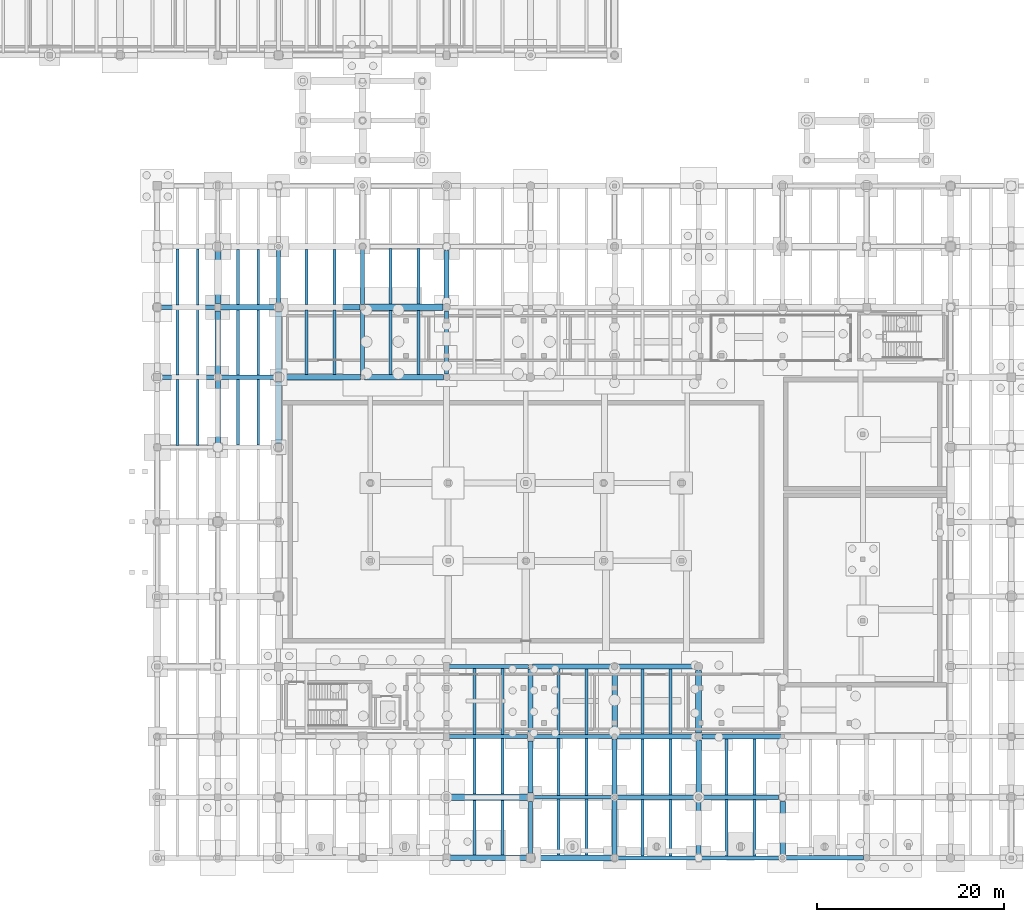
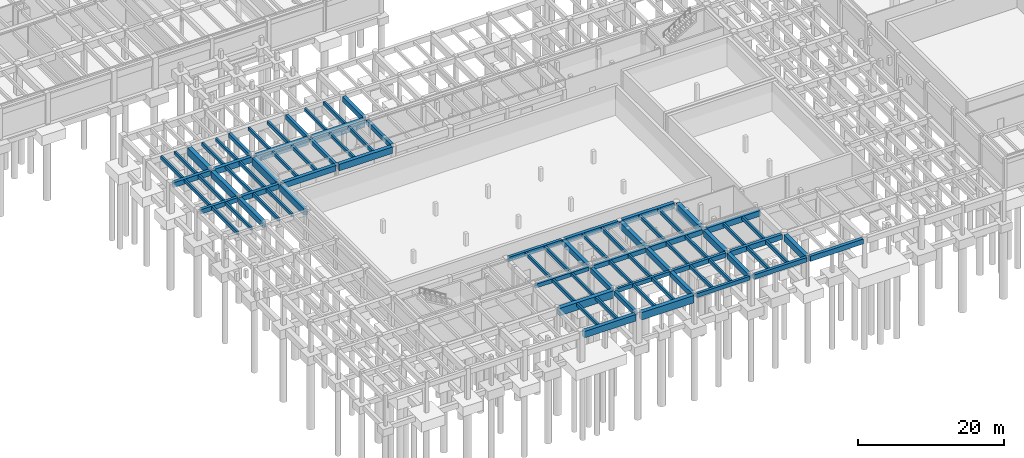
# One storey, part 21 of 36: 86 beams.
"""IFC4 building model written with IfcOpenShell, lengths in metres."""

from ifc_helpers import new_model, si_unit, direction, frame, origin, origin_2d, place, context, subcontext, project, spatial, rectangle, extrude, material, material_profile, profile_set, type_object, element, save


model = new_model("IFC4")

# Units and contexts
model_context = context("Model", 3, precision=1e-05, world=origin(), true_north=direction((0.0, 1.0)))
body_context = subcontext(model_context, "Body", "Model", "MODEL_VIEW")
ifc_project = project(units=[si_unit("LENGTHUNIT", "METRE"), si_unit("AREAUNIT", "SQUARE_METRE"), si_unit("VOLUMEUNIT", "CUBIC_METRE"), si_unit("PLANEANGLEUNIT", "RADIAN"), si_unit("MASSUNIT", "GRAM", prefix="KILO"), si_unit("THERMODYNAMICTEMPERATUREUNIT", "KELVIN"), si_unit("POWERUNIT", "WATT")], contexts=[model_context])

# Site, building, storey
site_placement = place(None, origin())
site = spatial("IfcSite", under=ifc_project, at=site_placement, CompositionType="ELEMENT")
building_placement = place(site_placement, origin())
building = spatial("IfcBuilding", under=site, at=building_placement, Name="Tepalcoro Natatorium and Aquatics Centre", CompositionType="ELEMENT")
storey_placement = place(building_placement, frame((0.0, 0.0, -5.199951171875)))
storey = spatial("IfcBuildingStorey", under=building, at=storey_placement, Name="B1", CompositionType="ELEMENT", Elevation=-5.199951171875)

# Beams
ifc_material = material(Name="Concrete C40/50 (fc 40 MPa)", Category="concrete")
ifc_material_profile_1 = material_profile(ifc_material, rectangle(XDim=0.39990234375, YDim=0.64990234375, at=origin_2d()), Name="RCB400x650")
ifc_profile_set_1 = profile_set([ifc_material_profile_1], Name="Concrete C40/50 (fc 40 MPa)")
beam_type_1 = type_object("IfcBeamType", Name="BM_RC_400x650", PredefinedType="BEAM", material=ifc_profile_set_1)
for number, where, z_axis, x_axis, name in (
    (1, (89.235107421875, 0.0, 4.579833984375), (1.0, 0.0, 0.0), (0.0, 1.0, 0.0), "V1 B1 Grid Girder X"),
    (2, (80.284912109375, 6.5, 4.579833984375), (1.0, 0.0, 0.0), (0.0, 1.0, 0.0), "V1 B1 Grid Girder X"),
):
    element("IfcBeam", number, at=place(storey_placement, frame(where, z_axis=z_axis, x_axis=x_axis)), inside=storey, type_object=beam_type_1, Name=name, PredefinedType="BEAM", context=body_context, shape_type="SweptSolid", body=[
        extrude(rectangle(XDim=0.39990234375, YDim=0.64990234375, at=origin_2d()), origin(), (0.0, 0.0, 1.0), 8.47998046875),
    ])
beam_1_placement = place(storey_placement, frame((71.284912109375, 13.0, 4.579833984375), z_axis=(1.0, 0.0, 0.0), x_axis=(0.0, 1.0, 0.0)))
element("IfcBeam", 3, at=beam_1_placement, inside=storey, type_object=beam_type_1, Name="V1 B1 Grid Girder X", PredefinedType="BEAM", context=body_context, shape_type="SweptSolid", body=[
    extrude(rectangle(XDim=0.39990234375, YDim=0.64990234375, at=origin_2d()), origin(), (0.0, 0.0, 1.0), 8.380126953125),
])
beam_2_placement = place(storey_placement, frame((53.0, 59.4599609375, 4.579833984375), z_axis=(0.0, 1.0, 0.0), x_axis=(-1.0, 0.0, 0.0)))
element("IfcBeam", 4, at=beam_2_placement, inside=storey, type_object=beam_type_1, Name="V1 B1 Grid Girder Y", PredefinedType="BEAM", context=body_context, shape_type="SweptSolid", body=[
    extrude(rectangle(XDim=0.39990234375, YDim=0.64990234375, at=origin_2d()), origin(), (0.0, 0.0, 1.0), 5.804931640625),
])
beam_3_placement = place(storey_placement, frame((62.0, 51.735107421875, 4.56005859375), z_axis=(0.0, 1.0, 0.0), x_axis=(-1.0, 0.0, 0.0)))
element("IfcBeam", 5, at=beam_3_placement, inside=storey, type_object=beam_type_1, Name="V1 B1 Grid Girder Y", PredefinedType="BEAM", context=body_context, shape_type="SweptSolid", body=[
    extrude(rectangle(XDim=0.39990234375, YDim=0.64990234375, at=origin_2d()), origin(), (0.0, 0.0, 1.0), 6.97998046875),
])
ifc_material_profile_2 = material_profile(ifc_material, rectangle(XDim=0.449951171875, YDim=0.75, at=origin_2d()), Name="RCB450x750")
ifc_profile_set_2 = profile_set([ifc_material_profile_2], Name="Concrete C40/50 (fc 40 MPa)")
beam_type_2 = type_object("IfcBeamType", Name="BM_RC_450x750", PredefinedType="BEAM", material=ifc_profile_set_2)
beam_4_placement = place(storey_placement, frame((98.284912109375, 0.0, 4.530029296875), z_axis=(1.0, 0.0, 0.0), x_axis=(0.0, 1.0, 0.0)))
element("IfcBeam", 6, at=beam_4_placement, inside=storey, type_object=beam_type_2, Name="V1 B1 Grid Girder X", PredefinedType="BEAM", context=body_context, shape_type="SweptSolid", body=[
    extrude(rectangle(XDim=0.449951171875, YDim=0.75, at=origin_2d()), origin(), (0.0, 0.0, 1.0), 8.47998046875),
])
beam_5_placement = place(storey_placement, frame((89.235107421875, 6.5, 4.530029296875), z_axis=(1.0, 0.0, 0.0), x_axis=(0.0, 1.0, 0.0)))
element("IfcBeam", 7, at=beam_5_placement, inside=storey, type_object=beam_type_2, Name="V1 B1 Grid Girder X", PredefinedType="BEAM", context=body_context, shape_type="SweptSolid", body=[
    extrude(rectangle(XDim=0.449951171875, YDim=0.75, at=origin_2d()), origin(), (0.0, 0.0, 1.0), 8.429931640625),
])
beam_6_placement = place(storey_placement, frame((80.3349609375, 13.0, 4.530029296875), z_axis=(1.0, 0.0, 0.0), x_axis=(0.0, 1.0, 0.0)))
element("IfcBeam", 8, at=beam_6_placement, inside=storey, type_object=beam_type_2, Name="V1 B1 Grid Girder X", PredefinedType="BEAM", context=body_context, shape_type="SweptSolid", body=[
    extrude(rectangle(XDim=0.449951171875, YDim=0.75, at=origin_2d()), origin(), (0.0, 0.0, 1.0), 8.380126953125),
])
beam_7_placement = place(storey_placement, frame((71.284912109375, 20.5, 4.510009765625), z_axis=(1.0, 0.0, 0.0), x_axis=(0.0, 1.0, 0.0)))
element("IfcBeam", 9, at=beam_7_placement, inside=storey, type_object=beam_type_2, Name="V1 B1 Grid Girder X", PredefinedType="BEAM", context=body_context, shape_type="SweptSolid", body=[
    extrude(rectangle(XDim=0.449951171875, YDim=0.75, at=origin_2d()), origin(), (0.0, 0.0, 1.0), 8.47998046875),
])
beam_8_placement = place(storey_placement, frame((40.360107421875, 51.5, 4.530029296875), z_axis=(1.0, 0.0, 0.0), x_axis=(0.0, 1.0, 0.0)))
element("IfcBeam", 10, at=beam_8_placement, inside=storey, type_object=beam_type_2, Name="V1 B1 Grid Girder X", PredefinedType="BEAM", context=body_context, shape_type="SweptSolid", body=[
    extrude(rectangle(XDim=0.449951171875, YDim=0.75, at=origin_2d()), origin(), (0.0, 0.0, 1.0), 5.90478515625),
])
beam_9_placement = place(storey_placement, frame((62.0, 59.284912109375, 4.530029296875), z_axis=(0.0, 1.0, 0.0), x_axis=(-1.0, 0.0, 0.0)))
element("IfcBeam", 11, at=beam_9_placement, inside=storey, type_object=beam_type_2, Name="V1 B1 Grid Girder Y", PredefinedType="BEAM", context=body_context, shape_type="SweptSolid", body=[
    extrude(rectangle(XDim=0.449951171875, YDim=0.75, at=origin_2d()), origin(), (0.0, 0.0, 1.0), 5.880126953125),
])
beam_10_placement = place(storey_placement, frame((71.0, 51.8349609375, 4.510009765625), z_axis=(0.0, 1.0, 0.0), x_axis=(-1.0, 0.0, 0.0)))
element("IfcBeam", 12, at=beam_10_placement, inside=storey, type_object=beam_type_2, Name="V1 B1 Grid Girder Y", PredefinedType="BEAM", context=body_context, shape_type="SweptSolid", body=[
    extrude(rectangle(XDim=0.449951171875, YDim=0.75, at=origin_2d()), origin(), (0.0, 0.0, 1.0), 6.780029296875),
])
beam_11_placement = place(storey_placement, frame((80.0, 0.43505859375, 4.530029296875), z_axis=(0.0, 1.0, 0.0), x_axis=(-1.0, 0.0, 0.0)))
element("IfcBeam", 13, at=beam_11_placement, inside=storey, type_object=beam_type_2, Name="V1 B1 Grid Girder Y", PredefinedType="BEAM", context=body_context, shape_type="SweptSolid", body=[
    extrude(rectangle(XDim=0.449951171875, YDim=0.75, at=origin_2d()), origin(), (0.0, 0.0, 1.0), 5.6298828125),
])
ifc_material_profile_3 = material_profile(ifc_material, rectangle(XDim=0.5, YDim=0.85009765625, at=origin_2d()), Name="RCB500x850")
ifc_profile_set_3 = profile_set([ifc_material_profile_3], Name="Concrete C40/50 (fc 40 MPa)")
beam_type_3 = type_object("IfcBeamType", Name="BM_RC_500x850", PredefinedType="BEAM", material=ifc_profile_set_3)
beam_12_placement = place(storey_placement, frame((107.235107421875, 0.0, 4.47998046875), z_axis=(1.0, 0.0, 0.0), x_axis=(0.0, 1.0, 0.0)))
element("IfcBeam", 14, at=beam_12_placement, inside=storey, type_object=beam_type_3, Name="V1 B1 Grid Girder X", PredefinedType="BEAM", context=body_context, shape_type="SweptSolid", body=[
    extrude(rectangle(XDim=0.5, YDim=0.85009765625, at=origin_2d()), origin(), (0.0, 0.0, 1.0), 8.429931640625),
])
beam_13_placement = place(storey_placement, frame((98.3349609375, 6.5, 4.47998046875), z_axis=(1.0, 0.0, 0.0), x_axis=(0.0, 1.0, 0.0)))
element("IfcBeam", 15, at=beam_13_placement, inside=storey, type_object=beam_type_3, Name="V1 B1 Grid Girder X", PredefinedType="BEAM", context=body_context, shape_type="SweptSolid", body=[
    extrude(rectangle(XDim=0.5, YDim=0.85009765625, at=origin_2d()), origin(), (0.0, 0.0, 1.0), 8.22998046875),
])
beam_14_placement = place(storey_placement, frame((89.284912109375, 13.0, 4.47998046875), z_axis=(1.0, 0.0, 0.0), x_axis=(0.0, 1.0, 0.0)))
element("IfcBeam", 16, at=beam_14_placement, inside=storey, type_object=beam_type_3, Name="V1 B1 Grid Girder X", PredefinedType="BEAM", context=body_context, shape_type="SweptSolid", body=[
    extrude(rectangle(XDim=0.5, YDim=0.85009765625, at=origin_2d()), origin(), (0.0, 0.0, 1.0), 8.330078125),
])
beam_15_placement = place(storey_placement, frame((80.235107421875, 20.5, 4.4599609375), z_axis=(1.0, 0.0, 0.0), x_axis=(0.0, 1.0, 0.0)))
element("IfcBeam", 17, at=beam_15_placement, inside=storey, type_object=beam_type_3, Name="V1 B1 Grid Girder X", PredefinedType="BEAM", context=body_context, shape_type="SweptSolid", body=[
    extrude(rectangle(XDim=0.5, YDim=0.85009765625, at=origin_2d()), origin(), (0.0, 0.0, 1.0), 8.429931640625),
])
beam_16_placement = place(storey_placement, frame((46.735107421875, 51.5, 4.47998046875), z_axis=(1.0, 0.0, 0.0), x_axis=(0.0, 1.0, 0.0)))
element("IfcBeam", 18, at=beam_16_placement, inside=storey, type_object=beam_type_3, Name="V1 B1 Grid Girder X", PredefinedType="BEAM", context=body_context, shape_type="SweptSolid", body=[
    extrude(rectangle(XDim=0.5, YDim=0.85009765625, at=origin_2d()), origin(), (0.0, 0.0, 1.0), 5.97998046875),
])
beam_17_placement = place(storey_placement, frame((40.385009765625, 59.0, 4.47998046875), z_axis=(1.0, 0.0, 0.0), x_axis=(0.0, 1.0, 0.0)))
element("IfcBeam", 19, at=beam_17_placement, inside=storey, type_object=beam_type_3, Name="V1 B1 Grid Girder X", PredefinedType="BEAM", context=body_context, shape_type="SweptSolid", body=[
    extrude(rectangle(XDim=0.5, YDim=0.85009765625, at=origin_2d()), origin(), (0.0, 0.0, 1.0), 5.830078125),
])
beam_18_placement = place(storey_placement, frame((71.0, 59.385009765625, 4.47998046875), z_axis=(0.0, 1.0, 0.0), x_axis=(-1.0, 0.0, 0.0)))
element("IfcBeam", 20, at=beam_18_placement, inside=storey, type_object=beam_type_3, Name="V1 B1 Grid Girder Y", PredefinedType="BEAM", context=body_context, shape_type="SweptSolid", body=[
    extrude(rectangle(XDim=0.5, YDim=0.85009765625, at=origin_2d()), origin(), (0.0, 0.0, 1.0), 5.679931640625),
])
beam_19_placement = place(storey_placement, frame((80.0, 6.93505859375, 4.47998046875), z_axis=(0.0, 1.0, 0.0), x_axis=(-1.0, 0.0, 0.0)))
element("IfcBeam", 21, at=beam_19_placement, inside=storey, type_object=beam_type_3, Name="V1 B1 Grid Girder Y", PredefinedType="BEAM", context=body_context, shape_type="SweptSolid", body=[
    extrude(rectangle(XDim=0.5, YDim=0.85009765625, at=origin_2d()), origin(), (0.0, 0.0, 1.0), 5.60498046875),
])
beam_20_placement = place(storey_placement, frame((89.0, 0.3349609375, 4.47998046875), z_axis=(0.0, 1.0, 0.0), x_axis=(-1.0, 0.0, 0.0)))
element("IfcBeam", 22, at=beam_20_placement, inside=storey, type_object=beam_type_3, Name="V1 B1 Grid Girder Y", PredefinedType="BEAM", context=body_context, shape_type="SweptSolid", body=[
    extrude(rectangle(XDim=0.5, YDim=0.85009765625, at=origin_2d()), origin(), (0.0, 0.0, 1.0), 5.929931640625),
])
ifc_material_profile_4 = material_profile(ifc_material, rectangle(XDim=0.550048828125, YDim=0.949951171875, at=origin_2d()), Name="RCB550x950")
ifc_profile_set_4 = profile_set([ifc_material_profile_4], Name="Concrete C40/50 (fc 40 MPa)")
beam_type_4 = type_object("IfcBeamType", Name="BM_RC_550x950", PredefinedType="BEAM", material=ifc_profile_set_4)
beam_21_placement = place(storey_placement, frame((98.385009765625, 13.0, 4.429931640625), z_axis=(1.0, 0.0, 0.0), x_axis=(0.0, 1.0, 0.0)))
element("IfcBeam", 23, at=beam_21_placement, inside=storey, type_object=beam_type_4, Name="V1 B1 Grid Girder X", PredefinedType="BEAM", context=body_context, shape_type="SweptSolid", body=[
    extrude(rectangle(XDim=0.550048828125, YDim=0.949951171875, at=origin_2d()), origin(), (0.0, 0.0, 1.0), 8.429931640625),
])
beam_22_placement = place(storey_placement, frame((89.3349609375, 20.5, 4.409912109375), z_axis=(1.0, 0.0, 0.0), x_axis=(0.0, 1.0, 0.0)))
element("IfcBeam", 24, at=beam_22_placement, inside=storey, type_object=beam_type_4, Name="V1 B1 Grid Girder X", PredefinedType="BEAM", context=body_context, shape_type="SweptSolid", body=[
    extrude(rectangle(XDim=0.550048828125, YDim=0.949951171875, at=origin_2d()), origin(), (0.0, 0.0, 1.0), 8.22998046875),
])
beam_23_placement = place(storey_placement, frame((53.284912109375, 51.5, 4.409912109375), z_axis=(1.0, 0.0, 0.0), x_axis=(0.0, 1.0, 0.0)))
element("IfcBeam", 25, at=beam_23_placement, inside=storey, type_object=beam_type_4, Name="V1 B1 Grid Girder X", PredefinedType="BEAM", context=body_context, shape_type="SweptSolid", body=[
    extrude(rectangle(XDim=0.550048828125, YDim=0.949951171875, at=origin_2d()), origin(), (0.0, 0.0, 1.0), 8.47998046875),
])
beam_24_placement = place(storey_placement, frame((46.784912109375, 59.0, 4.429931640625), z_axis=(1.0, 0.0, 0.0), x_axis=(0.0, 1.0, 0.0)))
element("IfcBeam", 26, at=beam_24_placement, inside=storey, type_object=beam_type_4, Name="V1 B1 Grid Girder X", PredefinedType="BEAM", context=body_context, shape_type="SweptSolid", body=[
    extrude(rectangle(XDim=0.550048828125, YDim=0.949951171875, at=origin_2d()), origin(), (0.0, 0.0, 1.0), 5.880126953125),
])
beam_25_placement = place(storey_placement, frame((46.5, 44.4599609375, 4.429931640625), z_axis=(0.0, 1.0, 0.0), x_axis=(-1.0, 0.0, 0.0)))
element("IfcBeam", 27, at=beam_25_placement, inside=storey, type_object=beam_type_4, Name="V1 B1 Grid Girder Y", PredefinedType="BEAM", context=body_context, shape_type="SweptSolid", body=[
    extrude(rectangle(XDim=0.550048828125, YDim=0.949951171875, at=origin_2d()), origin(), (0.0, 0.0, 1.0), 6.705078125),
])
beam_26_placement = place(storey_placement, frame((80.0, 13.4599609375, 4.409912109375), z_axis=(0.0, 1.0, 0.0), x_axis=(-1.0, 0.0, 0.0)))
element("IfcBeam", 28, at=beam_26_placement, inside=storey, type_object=beam_type_4, Name="V1 B1 Grid Girder Y", PredefinedType="BEAM", context=body_context, shape_type="SweptSolid", body=[
    extrude(rectangle(XDim=0.550048828125, YDim=0.949951171875, at=origin_2d()), origin(), (0.0, 0.0, 1.0), 6.804931640625),
])
beam_27_placement = place(storey_placement, frame((89.0, 6.735107421875, 4.429931640625), z_axis=(0.0, 1.0, 0.0), x_axis=(-1.0, 0.0, 0.0)))
element("IfcBeam", 29, at=beam_27_placement, inside=storey, type_object=beam_type_4, Name="V1 B1 Grid Girder Y", PredefinedType="BEAM", context=body_context, shape_type="SweptSolid", body=[
    extrude(rectangle(XDim=0.550048828125, YDim=0.949951171875, at=origin_2d()), origin(), (0.0, 0.0, 1.0), 5.97998046875),
])
beam_28_placement = place(storey_placement, frame((98.0, 0.43505859375, 4.429931640625), z_axis=(0.0, 1.0, 0.0), x_axis=(-1.0, 0.0, 0.0)))
element("IfcBeam", 30, at=beam_28_placement, inside=storey, type_object=beam_type_4, Name="V1 B1 Grid Girder Y", PredefinedType="BEAM", context=body_context, shape_type="SweptSolid", body=[
    extrude(rectangle(XDim=0.550048828125, YDim=0.949951171875, at=origin_2d()), origin(), (0.0, 0.0, 1.0), 5.72998046875),
])
ifc_material_profile_5 = material_profile(ifc_material, rectangle(XDim=0.60009765625, YDim=1.10009765625, at=origin_2d()), Name="RCB600x1100")
ifc_profile_set_5 = profile_set([ifc_material_profile_5], Name="Concrete C40/50 (fc 40 MPa)")
beam_type_5 = type_object("IfcBeamType", Name="BM_RC_600x1100", PredefinedType="BEAM", material=ifc_profile_set_5)
beam_29_placement = place(storey_placement, frame((71.385009765625, 0.0, 4.35498046875), z_axis=(1.0, 0.0, 0.0), x_axis=(0.0, 1.0, 0.0)))
element("IfcBeam", 31, at=beam_29_placement, inside=storey, type_object=beam_type_5, Name="V1 B1 Grid Girder X", PredefinedType="BEAM", context=body_context, shape_type="SweptSolid", body=[
    extrude(rectangle(XDim=0.60009765625, YDim=1.10009765625, at=origin_2d()), origin(), (0.0, 0.0, 1.0), 8.179931640625),
])
beam_30_placement = place(storey_placement, frame((62.235107421875, 51.5, 4.3349609375), z_axis=(1.0, 0.0, 0.0), x_axis=(0.0, 1.0, 0.0)))
element("IfcBeam", 32, at=beam_30_placement, inside=storey, type_object=beam_type_5, Name="V1 B1 Grid Girder X", PredefinedType="BEAM", context=body_context, shape_type="SweptSolid", body=[
    extrude(rectangle(XDim=0.60009765625, YDim=1.10009765625, at=origin_2d()), origin(), (0.0, 0.0, 1.0), 8.429931640625),
])
beam_31_placement = place(storey_placement, frame((53.3349609375, 59.0, 4.35498046875), z_axis=(1.0, 0.0, 0.0), x_axis=(0.0, 1.0, 0.0)))
element("IfcBeam", 33, at=beam_31_placement, inside=storey, type_object=beam_type_5, Name="V1 B1 Grid Girder X", PredefinedType="BEAM", context=body_context, shape_type="SweptSolid", body=[
    extrude(rectangle(XDim=0.60009765625, YDim=1.10009765625, at=origin_2d()), origin(), (0.0, 0.0, 1.0), 8.380126953125),
])
beam_32_placement = place(storey_placement, frame((46.5, 51.8349609375, 4.35498046875), z_axis=(0.0, 1.0, 0.0), x_axis=(-1.0, 0.0, 0.0)))
element("IfcBeam", 34, at=beam_32_placement, inside=storey, type_object=beam_type_5, Name="V1 B1 Grid Girder Y", PredefinedType="BEAM", context=body_context, shape_type="SweptSolid", body=[
    extrude(rectangle(XDim=0.60009765625, YDim=1.10009765625, at=origin_2d()), origin(), (0.0, 0.0, 1.0), 6.780029296875),
])
beam_33_placement = place(storey_placement, frame((53.0, 44.385009765625, 4.35498046875), z_axis=(0.0, 1.0, 0.0), x_axis=(-1.0, 0.0, 0.0)))
element("IfcBeam", 35, at=beam_33_placement, inside=storey, type_object=beam_type_5, Name="V1 B1 Grid Girder Y", PredefinedType="BEAM", context=body_context, shape_type="SweptSolid", body=[
    extrude(rectangle(XDim=0.60009765625, YDim=1.10009765625, at=origin_2d()), origin(), (0.0, 0.0, 1.0), 6.679931640625),
])
beam_34_placement = place(storey_placement, frame((89.0, 13.284912109375, 4.3349609375), z_axis=(0.0, 1.0, 0.0), x_axis=(-1.0, 0.0, 0.0)))
element("IfcBeam", 36, at=beam_34_placement, inside=storey, type_object=beam_type_5, Name="V1 B1 Grid Girder Y", PredefinedType="BEAM", context=body_context, shape_type="SweptSolid", body=[
    extrude(rectangle(XDim=0.60009765625, YDim=1.10009765625, at=origin_2d()), origin(), (0.0, 0.0, 1.0), 6.880126953125),
])
beam_35_placement = place(storey_placement, frame((98.0, 6.8349609375, 4.35498046875), z_axis=(0.0, 1.0, 0.0), x_axis=(-1.0, 0.0, 0.0)))
element("IfcBeam", 37, at=beam_35_placement, inside=storey, type_object=beam_type_5, Name="V1 B1 Grid Girder Y", PredefinedType="BEAM", context=body_context, shape_type="SweptSolid", body=[
    extrude(rectangle(XDim=0.60009765625, YDim=1.10009765625, at=origin_2d()), origin(), (0.0, 0.0, 1.0), 5.780029296875),
])
beam_36_placement = place(storey_placement, frame((107.0, 0.235107421875, 4.35498046875), z_axis=(0.0, 1.0, 0.0), x_axis=(-1.0, 0.0, 0.0)))
element("IfcBeam", 38, at=beam_36_placement, inside=storey, type_object=beam_type_5, Name="V1 B1 Grid Girder Y", PredefinedType="BEAM", context=body_context, shape_type="SweptSolid", body=[
    extrude(rectangle(XDim=0.60009765625, YDim=1.10009765625, at=origin_2d()), origin(), (0.0, 0.0, 1.0), 5.829833984375),
])
ifc_material_profile_6 = material_profile(ifc_material, rectangle(XDim=0.64990234375, YDim=1.25, at=origin_2d()), Name="RCB650x1250")
ifc_profile_set_6 = profile_set([ifc_material_profile_6], Name="Concrete C40/50 (fc 40 MPa)")
beam_type_6 = type_object("IfcBeamType", Name="BM_RC_650x1250", PredefinedType="BEAM", material=ifc_profile_set_6)
beam_37_placement = place(storey_placement, frame((80.43505859375, 0.0, 4.280029296875), z_axis=(1.0, 0.0, 0.0), x_axis=(0.0, 1.0, 0.0)))
element("IfcBeam", 39, at=beam_37_placement, inside=storey, type_object=beam_type_6, Name="V1 B1 Grid Girder X", PredefinedType="BEAM", context=body_context, shape_type="SweptSolid", body=[
    extrude(rectangle(XDim=0.64990234375, YDim=1.25, at=origin_2d()), origin(), (0.0, 0.0, 1.0), 8.329833984375),
])
beam_38_placement = place(storey_placement, frame((71.235107421875, 6.5, 4.280029296875), z_axis=(1.0, 0.0, 0.0), x_axis=(0.0, 1.0, 0.0)))
element("IfcBeam", 40, at=beam_38_placement, inside=storey, type_object=beam_type_6, Name="V1 B1 Grid Girder X", PredefinedType="BEAM", context=body_context, shape_type="SweptSolid", body=[
    extrude(rectangle(XDim=0.64990234375, YDim=1.25, at=origin_2d()), origin(), (0.0, 0.0, 1.0), 8.47998046875),
])
beam_39_placement = place(storey_placement, frame((62.284912109375, 59.0, 4.280029296875), z_axis=(1.0, 0.0, 0.0), x_axis=(0.0, 1.0, 0.0)))
element("IfcBeam", 41, at=beam_39_placement, inside=storey, type_object=beam_type_6, Name="V1 B1 Grid Girder X", PredefinedType="BEAM", context=body_context, shape_type="SweptSolid", body=[
    extrude(rectangle(XDim=0.64990234375, YDim=1.25, at=origin_2d()), origin(), (0.0, 0.0, 1.0), 8.330078125),
])
beam_40_placement = place(storey_placement, frame((46.5, 59.385009765625, 4.280029296875), z_axis=(0.0, 1.0, 0.0), x_axis=(-1.0, 0.0, 0.0)))
element("IfcBeam", 42, at=beam_40_placement, inside=storey, type_object=beam_type_6, Name="V1 B1 Grid Girder Y", PredefinedType="BEAM", context=body_context, shape_type="SweptSolid", body=[
    extrude(rectangle(XDim=0.64990234375, YDim=1.25, at=origin_2d()), origin(), (0.0, 0.0, 1.0), 5.679931640625),
])
beam_41_placement = place(storey_placement, frame((53.0, 51.93505859375, 4.280029296875), z_axis=(0.0, 1.0, 0.0), x_axis=(-1.0, 0.0, 0.0)))
element("IfcBeam", 43, at=beam_41_placement, inside=storey, type_object=beam_type_6, Name="V1 B1 Grid Girder Y", PredefinedType="BEAM", context=body_context, shape_type="SweptSolid", body=[
    extrude(rectangle(XDim=0.64990234375, YDim=1.25, at=origin_2d()), origin(), (0.0, 0.0, 1.0), 6.60498046875),
])
beam_42_placement = place(storey_placement, frame((98.0, 13.385009765625, 4.260009765625), z_axis=(0.0, 1.0, 0.0), x_axis=(-1.0, 0.0, 0.0)))
element("IfcBeam", 44, at=beam_42_placement, inside=storey, type_object=beam_type_6, Name="V1 B1 Grid Girder Y", PredefinedType="BEAM", context=body_context, shape_type="SweptSolid", body=[
    extrude(rectangle(XDim=0.64990234375, YDim=1.25, at=origin_2d()), origin(), (0.0, 0.0, 1.0), 6.679931640625),
])
ifc_material_profile_7 = material_profile(ifc_material, rectangle(XDim=0.300048828125, YDim=0.550048828125, at=origin_2d()), Name="RCJ300x550")
ifc_profile_set_7 = profile_set([ifc_material_profile_7], Name="Concrete C40/50 (fc 40 MPa)")
beam_type_7 = type_object("IfcBeamType", Name="JS_RC_300x550", PredefinedType="JOIST", material=ifc_profile_set_7)
for number, where, z_axis, x_axis, name in (
    (45, (42.166748046875, 44.199951171875, 4.6298828125), (0.0, 1.0, 0.0), (-1.0, 0.0, 0.0), "V1 B1 Floor Joist"),
    (46, (44.333251953125, 44.199951171875, 4.6298828125), (0.0, 1.0, 0.0), (-1.0, 0.0, 0.0), "V1 B1 Floor Joist"),
):
    element("IfcBeam", number, at=place(storey_placement, frame(where, z_axis=z_axis, x_axis=x_axis)), inside=storey, type_object=beam_type_7, Name=name, PredefinedType="JOIST", context=body_context, shape_type="SweptSolid", body=[
        extrude(rectangle(XDim=0.300048828125, YDim=0.550048828125, at=origin_2d()), origin(), (0.0, 0.0, 1.0), 7.074951171875),
    ])
for number, where, z_axis, x_axis, name in (
    (47, (42.166748046875, 51.72509765625, 4.6298828125), (0.0, 1.0, 0.0), (-1.0, 0.0, 0.0), "V1 B1 Floor Joist"),
    (48, (44.333251953125, 51.72509765625, 4.6298828125), (0.0, 1.0, 0.0), (-1.0, 0.0, 0.0), "V1 B1 Floor Joist"),
):
    element("IfcBeam", number, at=place(storey_placement, frame(where, z_axis=z_axis, x_axis=x_axis)), inside=storey, type_object=beam_type_7, Name=name, PredefinedType="JOIST", context=body_context, shape_type="SweptSolid", body=[
        extrude(rectangle(XDim=0.300048828125, YDim=0.550048828125, at=origin_2d()), origin(), (0.0, 0.0, 1.0), 7.02490234375),
    ])
for number, where, z_axis, x_axis, name in (
    (49, (42.166748046875, 59.25, 4.6298828125), (0.0, 1.0, 0.0), (-1.0, 0.0, 0.0), "V1 B1 Floor Joist"),
    (50, (44.333251953125, 59.25, 4.6298828125), (0.0, 1.0, 0.0), (-1.0, 0.0, 0.0), "V1 B1 Floor Joist"),
):
    element("IfcBeam", number, at=place(storey_placement, frame(where, z_axis=z_axis, x_axis=x_axis)), inside=storey, type_object=beam_type_7, Name=name, PredefinedType="JOIST", context=body_context, shape_type="SweptSolid", body=[
        extrude(rectangle(XDim=0.300048828125, YDim=0.550048828125, at=origin_2d()), origin(), (0.0, 0.0, 1.0), 5.97509765625),
    ])
for number, where, z_axis, x_axis, name in (
    (51, (48.666748046875, 44.22509765625, 4.6298828125), (0.0, 1.0, 0.0), (-1.0, 0.0, 0.0), "V1 B1 Floor Joist"),
    (52, (50.833251953125, 44.22509765625, 4.6298828125), (0.0, 1.0, 0.0), (-1.0, 0.0, 0.0), "V1 B1 Floor Joist"),
):
    element("IfcBeam", number, at=place(storey_placement, frame(where, z_axis=z_axis, x_axis=x_axis)), inside=storey, type_object=beam_type_7, Name=name, PredefinedType="JOIST", context=body_context, shape_type="SweptSolid", body=[
        extrude(rectangle(XDim=0.300048828125, YDim=0.550048828125, at=origin_2d()), origin(), (0.0, 0.0, 1.0), 7.02490234375),
    ])
for number, where, z_axis, x_axis, name in (
    (53, (48.666748046875, 51.75, 4.6298828125), (0.0, 1.0, 0.0), (-1.0, 0.0, 0.0), "V1 B1 Floor Joist"),
    (54, (50.833251953125, 51.75, 4.6298828125), (0.0, 1.0, 0.0), (-1.0, 0.0, 0.0), "V1 B1 Floor Joist"),
):
    element("IfcBeam", number, at=place(storey_placement, frame(where, z_axis=z_axis, x_axis=x_axis)), inside=storey, type_object=beam_type_7, Name=name, PredefinedType="JOIST", context=body_context, shape_type="SweptSolid", body=[
        extrude(rectangle(XDim=0.300048828125, YDim=0.550048828125, at=origin_2d()), origin(), (0.0, 0.0, 1.0), 6.97509765625),
    ])
for number, where, z_axis, x_axis, name in (
    (55, (48.666748046875, 59.27490234375, 4.6298828125), (0.0, 1.0, 0.0), (-1.0, 0.0, 0.0), "V1 B1 Floor Joist"),
    (56, (50.833251953125, 59.27490234375, 4.6298828125), (0.0, 1.0, 0.0), (-1.0, 0.0, 0.0), "V1 B1 Floor Joist"),
):
    element("IfcBeam", number, at=place(storey_placement, frame(where, z_axis=z_axis, x_axis=x_axis)), inside=storey, type_object=beam_type_7, Name=name, PredefinedType="JOIST", context=body_context, shape_type="SweptSolid", body=[
        extrude(rectangle(XDim=0.300048828125, YDim=0.550048828125, at=origin_2d()), origin(), (0.0, 0.0, 1.0), 5.925048828125),
    ])
for number, where, z_axis, x_axis, name in (
    (57, (56.0, 51.77490234375, 4.60986328125), (0.0, 1.0, 0.0), (-1.0, 0.0, 0.0), "V1 B1 Floor Joist"),
    (58, (59.0, 51.77490234375, 4.60986328125), (0.0, 1.0, 0.0), (-1.0, 0.0, 0.0), "V1 B1 Floor Joist"),
):
    element("IfcBeam", number, at=place(storey_placement, frame(where, z_axis=z_axis, x_axis=x_axis)), inside=storey, type_object=beam_type_7, Name=name, PredefinedType="JOIST", context=body_context, shape_type="SweptSolid", body=[
        extrude(rectangle(XDim=0.300048828125, YDim=0.550048828125, at=origin_2d()), origin(), (0.0, 0.0, 1.0), 6.925048828125),
    ])
for number, where, z_axis, x_axis, name in (
    (59, (56.0, 59.300048828125, 4.6298828125), (0.0, 1.0, 0.0), (-1.0, 0.0, 0.0), "V1 B1 Floor Joist"),
    (60, (59.0, 59.300048828125, 4.6298828125), (0.0, 1.0, 0.0), (-1.0, 0.0, 0.0), "V1 B1 Floor Joist"),
):
    element("IfcBeam", number, at=place(storey_placement, frame(where, z_axis=z_axis, x_axis=x_axis)), inside=storey, type_object=beam_type_7, Name=name, PredefinedType="JOIST", context=body_context, shape_type="SweptSolid", body=[
        extrude(rectangle(XDim=0.300048828125, YDim=0.550048828125, at=origin_2d()), origin(), (0.0, 0.0, 1.0), 5.875),
    ])
for number, where, z_axis, x_axis, name in (
    (61, (65.0, 51.800048828125, 4.60986328125), (0.0, 1.0, 0.0), (-1.0, 0.0, 0.0), "V1 B1 Floor Joist"),
    (62, (68.0, 51.800048828125, 4.60986328125), (0.0, 1.0, 0.0), (-1.0, 0.0, 0.0), "V1 B1 Floor Joist"),
):
    element("IfcBeam", number, at=place(storey_placement, frame(where, z_axis=z_axis, x_axis=x_axis)), inside=storey, type_object=beam_type_7, Name=name, PredefinedType="JOIST", context=body_context, shape_type="SweptSolid", body=[
        extrude(rectangle(XDim=0.300048828125, YDim=0.550048828125, at=origin_2d()), origin(), (0.0, 0.0, 1.0), 6.875),
    ])
for number, where, z_axis, x_axis, name in (
    (63, (65.0, 59.324951171875, 4.6298828125), (0.0, 1.0, 0.0), (-1.0, 0.0, 0.0), "V1 B1 Floor Joist"),
    (64, (68.0, 59.324951171875, 4.6298828125), (0.0, 1.0, 0.0), (-1.0, 0.0, 0.0), "V1 B1 Floor Joist"),
):
    element("IfcBeam", number, at=place(storey_placement, frame(where, z_axis=z_axis, x_axis=x_axis)), inside=storey, type_object=beam_type_7, Name=name, PredefinedType="JOIST", context=body_context, shape_type="SweptSolid", body=[
        extrude(rectangle(XDim=0.300048828125, YDim=0.550048828125, at=origin_2d()), origin(), (0.0, 0.0, 1.0), 5.97509765625),
    ])
for number, where, z_axis, x_axis, name in (
    (65, (74.0, 0.300048828125, 4.6298828125), (0.0, 1.0, 0.0), (-1.0, 0.0, 0.0), "V1 B1 Floor Joist"),
    (66, (77.0, 0.300048828125, 4.6298828125), (0.0, 1.0, 0.0), (-1.0, 0.0, 0.0), "V1 B1 Floor Joist"),
):
    element("IfcBeam", number, at=place(storey_placement, frame(where, z_axis=z_axis, x_axis=x_axis)), inside=storey, type_object=beam_type_7, Name=name, PredefinedType="JOIST", context=body_context, shape_type="SweptSolid", body=[
        extrude(rectangle(XDim=0.300048828125, YDim=0.550048828125, at=origin_2d()), origin(), (0.0, 0.0, 1.0), 5.875),
    ])
for number, where, z_axis, x_axis, name in (
    (67, (74.0, 6.824951171875, 4.6298828125), (0.0, 1.0, 0.0), (-1.0, 0.0, 0.0), "V1 B1 Floor Joist"),
    (68, (77.0, 6.824951171875, 4.6298828125), (0.0, 1.0, 0.0), (-1.0, 0.0, 0.0), "V1 B1 Floor Joist"),
):
    element("IfcBeam", number, at=place(storey_placement, frame(where, z_axis=z_axis, x_axis=x_axis)), inside=storey, type_object=beam_type_7, Name=name, PredefinedType="JOIST", context=body_context, shape_type="SweptSolid", body=[
        extrude(rectangle(XDim=0.300048828125, YDim=0.550048828125, at=origin_2d()), origin(), (0.0, 0.0, 1.0), 5.97509765625),
    ])
for number, where, z_axis, x_axis, name in (
    (69, (74.0, 13.199951171875, 4.60986328125), (0.0, 1.0, 0.0), (-1.0, 0.0, 0.0), "V1 B1 Floor Joist"),
    (70, (77.0, 13.199951171875, 4.60986328125), (0.0, 1.0, 0.0), (-1.0, 0.0, 0.0), "V1 B1 Floor Joist"),
):
    element("IfcBeam", number, at=place(storey_placement, frame(where, z_axis=z_axis, x_axis=x_axis)), inside=storey, type_object=beam_type_7, Name=name, PredefinedType="JOIST", context=body_context, shape_type="SweptSolid", body=[
        extrude(rectangle(XDim=0.300048828125, YDim=0.550048828125, at=origin_2d()), origin(), (0.0, 0.0, 1.0), 7.074951171875),
    ])
for number, where, z_axis, x_axis, name in (
    (71, (83.0, 0.324951171875, 4.6298828125), (0.0, 1.0, 0.0), (-1.0, 0.0, 0.0), "V1 B1 Floor Joist"),
    (72, (86.0, 0.324951171875, 4.6298828125), (0.0, 1.0, 0.0), (-1.0, 0.0, 0.0), "V1 B1 Floor Joist"),
):
    element("IfcBeam", number, at=place(storey_placement, frame(where, z_axis=z_axis, x_axis=x_axis)), inside=storey, type_object=beam_type_7, Name=name, PredefinedType="JOIST", context=body_context, shape_type="SweptSolid", body=[
        extrude(rectangle(XDim=0.300048828125, YDim=0.550048828125, at=origin_2d()), origin(), (0.0, 0.0, 1.0), 5.97509765625),
    ])
for number, where, z_axis, x_axis, name in (
    (73, (83.0, 6.699951171875, 4.6298828125), (0.0, 1.0, 0.0), (-1.0, 0.0, 0.0), "V1 B1 Floor Joist"),
    (74, (86.0, 6.699951171875, 4.6298828125), (0.0, 1.0, 0.0), (-1.0, 0.0, 0.0), "V1 B1 Floor Joist"),
):
    element("IfcBeam", number, at=place(storey_placement, frame(where, z_axis=z_axis, x_axis=x_axis)), inside=storey, type_object=beam_type_7, Name=name, PredefinedType="JOIST", context=body_context, shape_type="SweptSolid", body=[
        extrude(rectangle(XDim=0.300048828125, YDim=0.550048828125, at=origin_2d()), origin(), (0.0, 0.0, 1.0), 6.074951171875),
    ])
for number, where, z_axis, x_axis, name in (
    (75, (83.0, 13.22509765625, 4.60986328125), (0.0, 1.0, 0.0), (-1.0, 0.0, 0.0), "V1 B1 Floor Joist"),
    (76, (86.0, 13.22509765625, 4.60986328125), (0.0, 1.0, 0.0), (-1.0, 0.0, 0.0), "V1 B1 Floor Joist"),
):
    element("IfcBeam", number, at=place(storey_placement, frame(where, z_axis=z_axis, x_axis=x_axis)), inside=storey, type_object=beam_type_7, Name=name, PredefinedType="JOIST", context=body_context, shape_type="SweptSolid", body=[
        extrude(rectangle(XDim=0.300048828125, YDim=0.550048828125, at=origin_2d()), origin(), (0.0, 0.0, 1.0), 7.02490234375),
    ])
for number, where, z_axis, x_axis, name in (
    (77, (92.0, 0.199951171875, 4.6298828125), (0.0, 1.0, 0.0), (-1.0, 0.0, 0.0), "V1 B1 Floor Joist"),
    (78, (95.0, 0.199951171875, 4.6298828125), (0.0, 1.0, 0.0), (-1.0, 0.0, 0.0), "V1 B1 Floor Joist"),
):
    element("IfcBeam", number, at=place(storey_placement, frame(where, z_axis=z_axis, x_axis=x_axis)), inside=storey, type_object=beam_type_7, Name=name, PredefinedType="JOIST", context=body_context, shape_type="SweptSolid", body=[
        extrude(rectangle(XDim=0.300048828125, YDim=0.550048828125, at=origin_2d()), origin(), (0.0, 0.0, 1.0), 6.074951171875),
    ])
for number, where, z_axis, x_axis, name in (
    (79, (92.0, 6.72509765625, 4.6298828125), (0.0, 1.0, 0.0), (-1.0, 0.0, 0.0), "V1 B1 Floor Joist"),
    (80, (95.0, 6.72509765625, 4.6298828125), (0.0, 1.0, 0.0), (-1.0, 0.0, 0.0), "V1 B1 Floor Joist"),
):
    element("IfcBeam", number, at=place(storey_placement, frame(where, z_axis=z_axis, x_axis=x_axis)), inside=storey, type_object=beam_type_7, Name=name, PredefinedType="JOIST", context=body_context, shape_type="SweptSolid", body=[
        extrude(rectangle(XDim=0.300048828125, YDim=0.550048828125, at=origin_2d()), origin(), (0.0, 0.0, 1.0), 6.02490234375),
    ])
for number, where, z_axis, x_axis, name in (
    (81, (92.0, 13.25, 4.60986328125), (0.0, 1.0, 0.0), (-1.0, 0.0, 0.0), "V1 B1 Floor Joist"),
    (82, (95.0, 13.25, 4.60986328125), (0.0, 1.0, 0.0), (-1.0, 0.0, 0.0), "V1 B1 Floor Joist"),
):
    element("IfcBeam", number, at=place(storey_placement, frame(where, z_axis=z_axis, x_axis=x_axis)), inside=storey, type_object=beam_type_7, Name=name, PredefinedType="JOIST", context=body_context, shape_type="SweptSolid", body=[
        extrude(rectangle(XDim=0.300048828125, YDim=0.550048828125, at=origin_2d()), origin(), (0.0, 0.0, 1.0), 6.97509765625),
    ])
for number, where, z_axis, x_axis, name in (
    (83, (101.0, 0.22509765625, 4.6298828125), (0.0, 1.0, 0.0), (-1.0, 0.0, 0.0), "V1 B1 Floor Joist"),
    (84, (104.0, 0.22509765625, 4.6298828125), (0.0, 1.0, 0.0), (-1.0, 0.0, 0.0), "V1 B1 Floor Joist"),
):
    element("IfcBeam", number, at=place(storey_placement, frame(where, z_axis=z_axis, x_axis=x_axis)), inside=storey, type_object=beam_type_7, Name=name, PredefinedType="JOIST", context=body_context, shape_type="SweptSolid", body=[
        extrude(rectangle(XDim=0.300048828125, YDim=0.550048828125, at=origin_2d()), origin(), (0.0, 0.0, 1.0), 6.02490234375),
    ])
for number, where, z_axis, x_axis, name in (
    (85, (101.0, 6.75, 4.6298828125), (0.0, 1.0, 0.0), (-1.0, 0.0, 0.0), "V1 B1 Floor Joist"),
    (86, (104.0, 6.75, 4.6298828125), (0.0, 1.0, 0.0), (-1.0, 0.0, 0.0), "V1 B1 Floor Joist"),
):
    element("IfcBeam", number, at=place(storey_placement, frame(where, z_axis=z_axis, x_axis=x_axis)), inside=storey, type_object=beam_type_7, Name=name, PredefinedType="JOIST", context=body_context, shape_type="SweptSolid", body=[
        extrude(rectangle(XDim=0.300048828125, YDim=0.550048828125, at=origin_2d()), origin(), (0.0, 0.0, 1.0), 5.97509765625),
    ])

save(model, "model.ifc")
